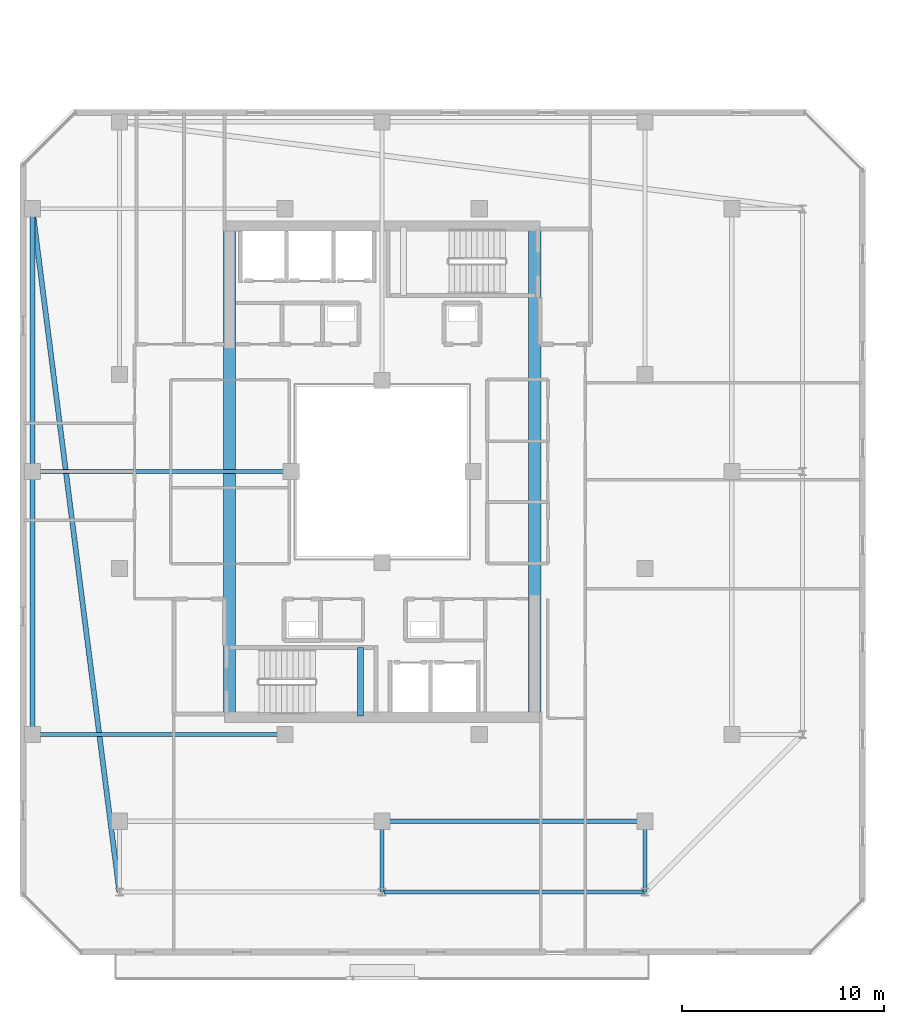
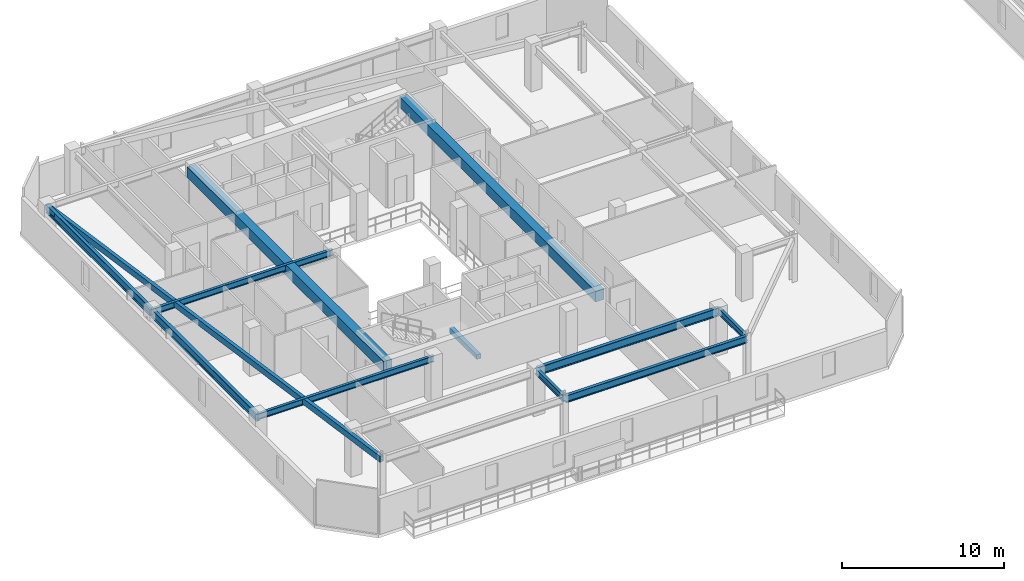
# One storey, part 6 of 35: 12 beams.
"""IFC4 building model written with IfcOpenShell, lengths in metres."""

from ifc_helpers import new_model, si_unit, direction, frame, origin, origin_2d, place, context, subcontext, project, spatial, rectangle, hollow_rectangle, i_section, extrude, material, material_profile, profile_set, type_object, element, save


model = new_model("IFC4")

# Units and contexts
model_context = context("Model", 3, precision=1e-05, world=origin(), true_north=direction((0.0, 1.0)))
body_context = subcontext(model_context, "Body", "Model", "MODEL_VIEW")
ifc_project = project(units=[si_unit("LENGTHUNIT", "METRE"), si_unit("AREAUNIT", "SQUARE_METRE"), si_unit("VOLUMEUNIT", "CUBIC_METRE"), si_unit("PLANEANGLEUNIT", "RADIAN"), si_unit("MASSUNIT", "GRAM", prefix="KILO")], contexts=[model_context])

# Site, building, storey
site_placement = place(None, origin())
site = spatial("IfcSite", under=ifc_project, at=site_placement, CompositionType="ELEMENT")
building_placement = place(site_placement, origin())
building = spatial("IfcBuilding", under=site, at=building_placement, Name="Thornwick Lancets Civic Towers", CompositionType="ELEMENT")
storey_placement = place(building_placement, frame((0.0, 0.0, 272.699951171875)))
storey = spatial("IfcBuildingStorey", under=building, at=storey_placement, Name="L73", CompositionType="ELEMENT", Elevation=272.699951171875)

# Beams
ifc_material_1 = material(Name="Concrete C60/75", Category="concrete")
ifc_material_profile_1 = material_profile(ifc_material_1, rectangle(XDim=0.60009765625, YDim=0.800048828125, at=origin_2d()), Name="RC 600x800")
ifc_profile_set_1 = profile_set([ifc_material_profile_1], Name="Concrete C60/75")
beam_type_1 = type_object("IfcBeamType", Name="BM_COUP_RC800", PredefinedType="BEAM", material=ifc_profile_set_1)
for number, where, z_axis, x_axis, name in (
    (1, (33.050048828125, 14.89990234375, 2.9599609375), (0.0, 1.0, 0.0), (-1.0, 0.0, 0.0), "CB-L73-A1"),
    (2, (17.949951171875, 14.89990234375, 2.9599609375), (0.0, 1.0, 0.0), (-1.0, 0.0, 0.0), "CB-L73-A2"),
):
    element("IfcBeam", number, at=place(storey_placement, frame(where, z_axis=z_axis, x_axis=x_axis)), inside=storey, type_object=beam_type_1, Name=name, PredefinedType="BEAM", context=body_context, shape_type="SweptSolid", body=[
        extrude(rectangle(XDim=0.60009765625, YDim=0.800048828125, at=origin_2d()), origin(), (0.0, 0.0, 1.0), 24.2001953125),
    ])
ifc_material_2 = material(Name="Steel S355JR", Category="steel")
ifc_material_profile_2 = material_profile(ifc_material_2, i_section(OverallWidth=0.210693359375, OverallDepth=0.53955078125, WebThickness=0.01171875, FlangeThickness=0.018798828125, FilletRadius=0.0126953125, at=origin_2d()), Name="UKB 533x210x109")
ifc_profile_set_2 = profile_set([ifc_material_profile_2], Name="Steel S355JR")
beam_type_2 = type_object("IfcBeamType", Name="BM_EDGE_533_109", PredefinedType="SPANDREL", material=ifc_profile_set_2)
beam_1_placement = place(storey_placement, frame((25.580078125, 6.199951171875, 3.09033203125), z_axis=(1.0, 0.0, 0.0), x_axis=(0.0, 1.0, 0.0)))
element("IfcBeam", 3, at=beam_1_placement, inside=storey, type_object=beam_type_2, Name="BM-EDGE-L73-A-S0-2", PredefinedType="SPANDREL", context=body_context, shape_type="SweptSolid", body=[
    extrude(i_section(OverallWidth=0.210693359375, OverallDepth=0.53955078125, WebThickness=0.01171875, FlangeThickness=0.018798828125, FilletRadius=0.0126953125, at=origin_2d()), origin(), (0.0, 0.0, 1.0), 12.919921875),
])
ifc_material_profile_3 = material_profile(ifc_material_2, i_section(OverallWidth=0.230224609375, OverallDepth=0.6171875, WebThickness=0.01318359375, FlangeThickness=0.022216796875, FilletRadius=0.0126953125, at=origin_2d()), Name="UKB 610x229x140")
ifc_profile_set_3 = profile_set([ifc_material_profile_3], Name="Steel S355JR")
beam_type_3 = type_object("IfcBeamType", Name="BM_GIRD_610_140", PredefinedType="BEAM", material=ifc_profile_set_3)
beam_2_placement = place(storey_placement, frame((25.580078125, 9.699951171875, 3.051513671875), z_axis=(1.0, 0.0, 0.0), x_axis=(0.0, 1.0, 0.0)))
element("IfcBeam", 4, at=beam_2_placement, inside=storey, type_object=beam_type_3, Name="BM-SPINE-L73-A-1-2", PredefinedType="BEAM", context=body_context, shape_type="SweptSolid", body=[
    extrude(i_section(OverallWidth=0.230224609375, OverallDepth=0.6171875, WebThickness=0.01318359375, FlangeThickness=0.022216796875, FilletRadius=0.0126953125, at=origin_2d()), origin(), (0.0, 0.0, 1.0), 12.919921875),
])
beam_3_placement = place(storey_placement, frame((8.199951171875, 14.0, 3.051513671875), z_axis=(0.0, 1.0, 0.0), x_axis=(-1.0, 0.0, 0.0)))
element("IfcBeam", 5, at=beam_3_placement, inside=storey, type_object=beam_type_3, Name="BM-SPINE-L73-A-9-10", PredefinedType="BEAM", context=body_context, shape_type="SweptSolid", body=[
    extrude(i_section(OverallWidth=0.230224609375, OverallDepth=0.6171875, WebThickness=0.01318359375, FlangeThickness=0.022216796875, FilletRadius=0.0126953125, at=origin_2d()), origin(), (0.0, 0.0, 1.0), 13.0),
])
beam_4_placement = place(storey_placement, frame((8.199951171875, 27.080078125, 3.051513671875), z_axis=(0.0, 1.0, 0.0), x_axis=(-1.0, 0.0, 0.0)))
element("IfcBeam", 6, at=beam_4_placement, inside=storey, type_object=beam_type_3, Name="BM-SPINE-L73-A-10-11", PredefinedType="BEAM", context=body_context, shape_type="SweptSolid", body=[
    extrude(i_section(OverallWidth=0.230224609375, OverallDepth=0.6171875, WebThickness=0.01318359375, FlangeThickness=0.022216796875, FilletRadius=0.0126953125, at=origin_2d()), origin(), (0.0, 0.0, 1.0), 12.919921875),
])
ifc_material_profile_4 = material_profile(ifc_material_2, i_section(OverallWidth=0.19189453125, OverallDepth=0.46337890625, WebThickness=0.010498046875, FlangeThickness=0.017578125, FilletRadius=0.01025390625, at=origin_2d()), Name="UKB 457x191x89")
ifc_profile_set_4 = profile_set([ifc_material_profile_4], Name="Steel S355JR")
beam_type_4 = type_object("IfcBeamType", Name="BM_JOIST_457_89", PredefinedType="JOIST", material=ifc_profile_set_4)
for number, where, z_axis, x_axis, name in (
    (7, (25.5, 9.699951171875, 3.12841796875), (0.0, -1.0, 0.0), (1.0, 0.0, 0.0), "BM-RAD-L73-A02"),
    (8, (38.5, 9.699951171875, 3.12841796875), (0.0, -1.0, 0.0), (1.0, 0.0, 0.0), "BM-RAD-L73-A03"),
):
    element("IfcBeam", number, at=place(storey_placement, frame(where, z_axis=z_axis, x_axis=x_axis)), inside=storey, type_object=beam_type_4, Name=name, PredefinedType="JOIST", context=body_context, shape_type="SweptSolid", body=[
        extrude(i_section(OverallWidth=0.19189453125, OverallDepth=0.46337890625, WebThickness=0.010498046875, FlangeThickness=0.017578125, FilletRadius=0.01025390625, at=origin_2d()), origin(), (0.0, 0.0, 1.0), 3.5),
    ])
beam_5_placement = place(storey_placement, frame((20.699951171875, 14.0, 3.12841796875), z_axis=(-1.0, 0.0, 0.0), x_axis=(0.0, -1.0, 0.0)))
element("IfcBeam", 9, at=beam_5_placement, inside=storey, type_object=beam_type_4, Name="BM-RADIN-L73-A10", PredefinedType="JOIST", context=body_context, shape_type="SweptSolid", body=[
    extrude(i_section(OverallWidth=0.19189453125, OverallDepth=0.46337890625, WebThickness=0.010498046875, FlangeThickness=0.017578125, FilletRadius=0.01025390625, at=origin_2d()), origin(), (0.0, 0.0, 1.0), 12.5),
])
beam_6_placement = place(storey_placement, frame((21.0, 27.0, 3.12841796875), z_axis=(-1.0, 0.0, 0.0), x_axis=(0.0, -1.0, 0.0)))
element("IfcBeam", 10, at=beam_6_placement, inside=storey, type_object=beam_type_4, Name="BM-RADIN-L73-A11", PredefinedType="JOIST", context=body_context, shape_type="SweptSolid", body=[
    extrude(i_section(OverallWidth=0.19189453125, OverallDepth=0.46337890625, WebThickness=0.010498046875, FlangeThickness=0.017578125, FilletRadius=0.01025390625, at=origin_2d()), origin(), (0.0, 0.0, 1.0), 12.800048828125),
])
ifc_material_profile_5 = material_profile(ifc_material_2, hollow_rectangle(XDim=0.25, YDim=0.449951171875, WallThickness=0.01611328125, at=origin_2d()), Name="RHS 450x250x16")
ifc_profile_set_5 = profile_set([ifc_material_profile_5], Name="Steel S355JR")
beam_type_5 = type_object("IfcBeamType", Name="BM_RING_RHS450", PredefinedType="BEAM", material=ifc_profile_set_5)
beam_7_placement = place(storey_placement, frame((8.199951171875, 40.0, 3.135009765625), z_axis=(0.126202998662, -0.992004437051, 0.0), x_axis=(0.992004437051, 0.126202998662, 0.0)))
element("IfcBeam", 11, at=beam_7_placement, inside=storey, type_object=beam_type_5, Name="BM-CHAMF-L73-A-C3", PredefinedType="BEAM", context=body_context, shape_type="SweptSolid", body=[
    extrude(hollow_rectangle(XDim=0.25, YDim=0.449951171875, WallThickness=0.01611328125, at=origin_2d()), origin(), (0.0, 0.0, 1.0), 34.072509765625),
])
ifc_material_3 = material(Name="Concrete C40/50", Category="concrete")
ifc_material_profile_6 = material_profile(ifc_material_3, rectangle(XDim=0.300048828125, YDim=0.35009765625, at=origin_2d()), Name="RC 300x350")
ifc_profile_set_6 = profile_set([ifc_material_profile_6], Name="Concrete C40/50")
beam_type_6 = type_object("IfcBeamType", Name="BM_STAIR_LDG", PredefinedType="BEAM", material=ifc_profile_set_6)
beam_8_placement = place(storey_placement, frame((24.43505859375, 14.89990234375, 1.3779296875), z_axis=(0.0, 1.0, 0.0), x_axis=(-1.0, 0.0, 0.0)))
element("IfcBeam", 12, at=beam_8_placement, inside=storey, type_object=beam_type_6, Name="L73 ST-A1 Landing Support Beam 1", PredefinedType="BEAM", context=body_context, shape_type="SweptSolid", body=[
    extrude(rectangle(XDim=0.300048828125, YDim=0.35009765625, at=origin_2d()), origin(), (0.0, 0.0, 1.0), 3.400146484375),
])

save(model, "model.ifc")
